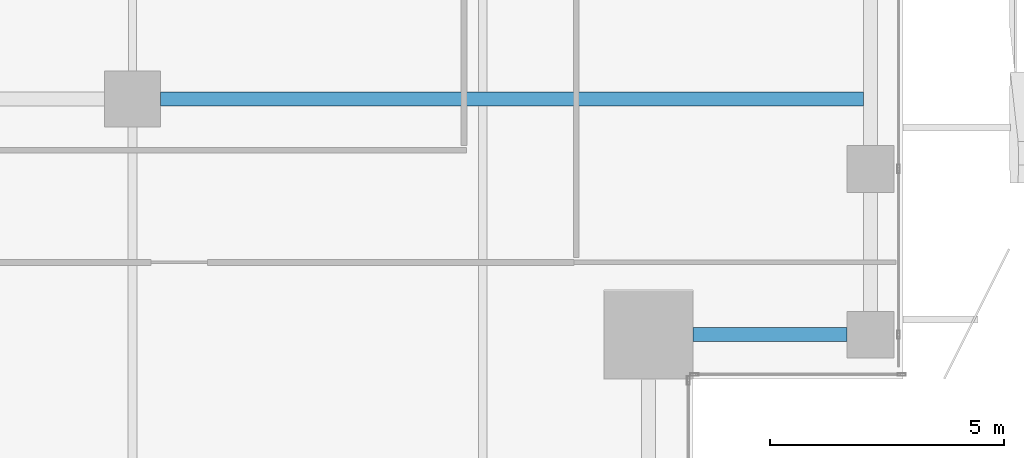
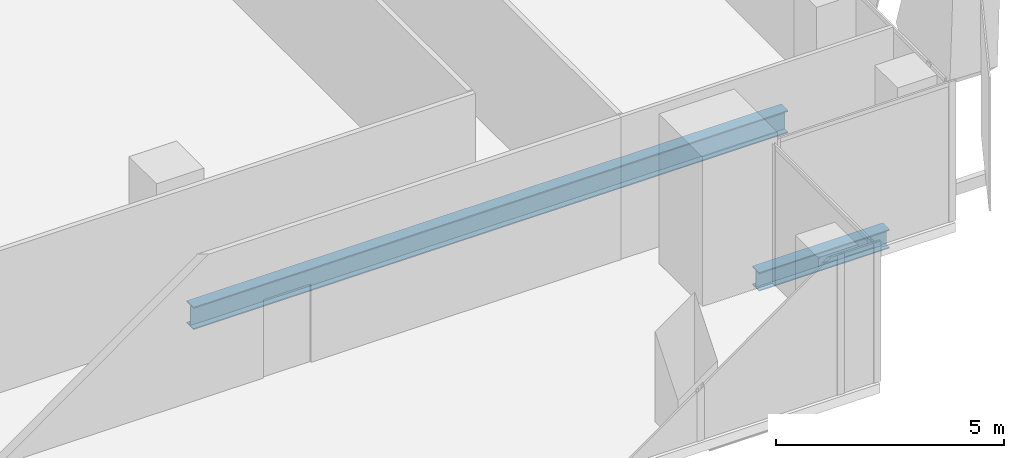
# One storey, part 11 of 38: 2 beams.
"""IFC4 building model written with IfcOpenShell, lengths in metres."""

from ifc_helpers import new_model, si_unit, direction, frame, origin, origin_2d, place, context, subcontext, project, spatial, i_section, extrude, source, transform, mapped, material, material_profile, profile_set, type_object, element, save


model = new_model("IFC4")

# Units and contexts
model_context = context("Model", 3, precision=1e-05, world=origin(), true_north=direction((0.0, 1.0)))
body_context = subcontext(model_context, "Body", "Model", "MODEL_VIEW")
ifc_project = project(units=[si_unit("LENGTHUNIT", "METRE"), si_unit("AREAUNIT", "SQUARE_METRE"), si_unit("VOLUMEUNIT", "CUBIC_METRE"), si_unit("PLANEANGLEUNIT", "RADIAN"), si_unit("MASSUNIT", "GRAM", prefix="KILO")], contexts=[model_context])

# Site, building, storey
site_placement = place(None, origin())
site = spatial("IfcSite", under=ifc_project, at=site_placement, CompositionType="ELEMENT")
building_placement = place(site_placement, origin())
building = spatial("IfcBuilding", under=site, at=building_placement, Name="Khomas Fold Tower", CompositionType="ELEMENT")
storey_placement = place(building_placement, frame((0.0, 0.0, 208.699951171875)))
storey = spatial("IfcBuildingStorey", under=building, at=storey_placement, Name="L46", CompositionType="ELEMENT", Elevation=208.699951171875)

# Beams
ifc_material_1 = material(Name="Steel S355", Category="steel")
ifc_material_profile_1 = material_profile(ifc_material_1, i_section(OverallWidth=0.300048828125, OverallDepth=0.5, WebThickness=0.014404296875, FlangeThickness=0.028076171875, at=origin_2d()), Name="HE 500 B")
ifc_profile_set_1 = profile_set([ifc_material_profile_1], Name="Steel S355")
beam_type_1 = type_object("IfcBeamType", Name="HE 500 B spandrel SB3", PredefinedType="SPANDREL", material=ifc_profile_set_1)
shared_shape_1 = source(origin(), body_context, "Body", "SweptSolid", [
    extrude(i_section(OverallWidth=0.300048828125, OverallDepth=0.5, WebThickness=0.014404296875, FlangeThickness=0.028076171875, at=origin_2d()), origin(), (0.0, 0.0, 1.0), 3.300048828125),
])
beam_1_placement = place(storey_placement, frame((46.5, 8.449951171875, -0.5), z_axis=(1.0, 0.0, 0.0), x_axis=(0.0, 1.0, 0.0)))
element("IfcBeam", 1, at=beam_1_placement, inside=storey, type_object=beam_type_1, Name="SB3", PredefinedType="SPANDREL", context=body_context, shape_type="MappedRepresentation", body=[
    mapped(shared_shape_1, transform((0.0, 0.0, 0.0))),
])
ifc_material_2 = material(Name="Steel S355", Category="steel")
ifc_material_profile_2 = material_profile(ifc_material_2, i_section(OverallWidth=0.300048828125, OverallDepth=0.60009765625, WebThickness=0.015380859375, FlangeThickness=0.030029296875, at=origin_2d()), Name="HE 600 B")
ifc_profile_set_2 = profile_set([ifc_material_profile_2], Name="Steel S355")
beam_type_2 = type_object("IfcBeamType", Name="HE 600 B beam GB5", PredefinedType="BEAM", material=ifc_profile_set_2)
shared_shape_2 = source(origin(), body_context, "Body", "SweptSolid", [
    extrude(i_section(OverallWidth=0.300048828125, OverallDepth=0.60009765625, WebThickness=0.015380859375, FlangeThickness=0.030029296875, at=origin_2d()), origin(), (0.0, 0.0, 1.0), 15.0498046875),
])
beam_2_placement = place(storey_placement, frame((35.10009765625, 13.5, -0.550048828125), z_axis=(1.0, 0.0, 0.0), x_axis=(0.0, 1.0, 0.0)))
element("IfcBeam", 2, at=beam_2_placement, inside=storey, type_object=beam_type_2, Name="GB5", PredefinedType="BEAM", context=body_context, shape_type="MappedRepresentation", body=[
    mapped(shared_shape_2, transform((0.0, 0.0, 0.0))),
])

save(model, "model.ifc")
